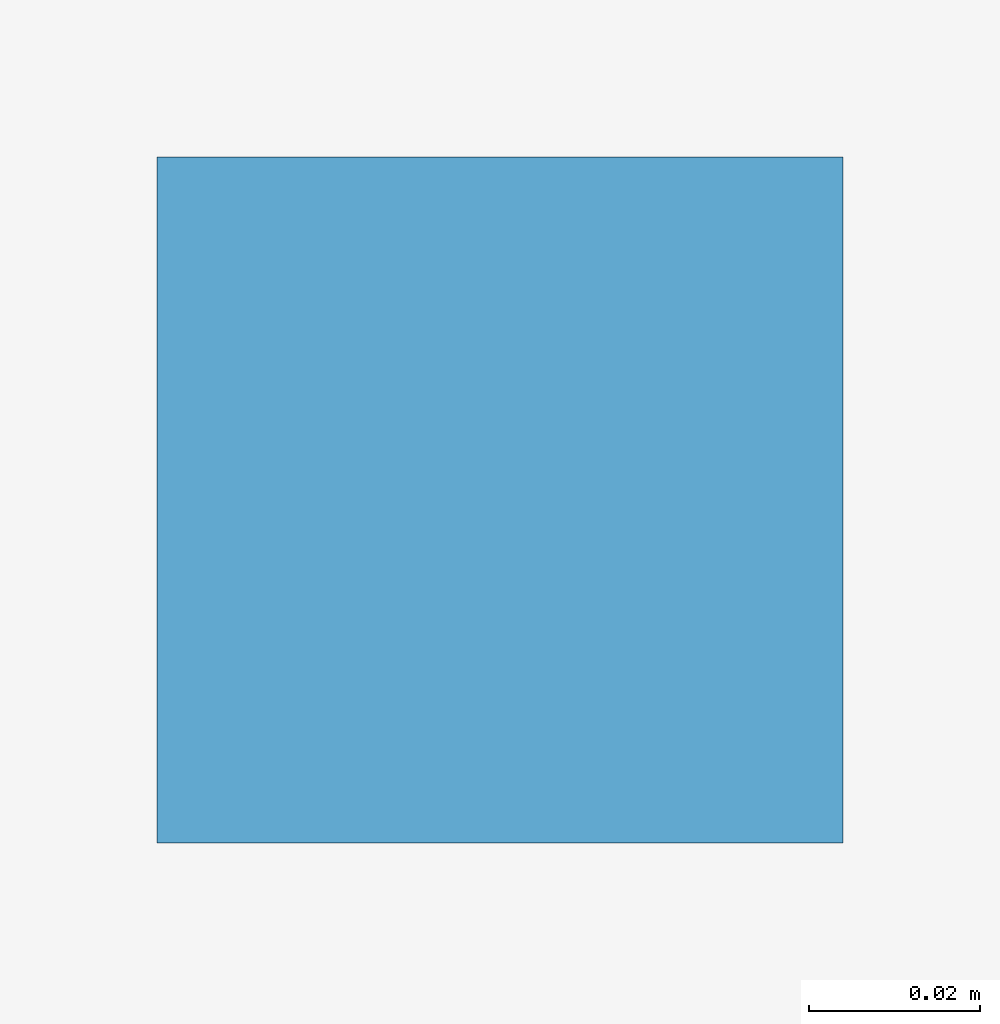
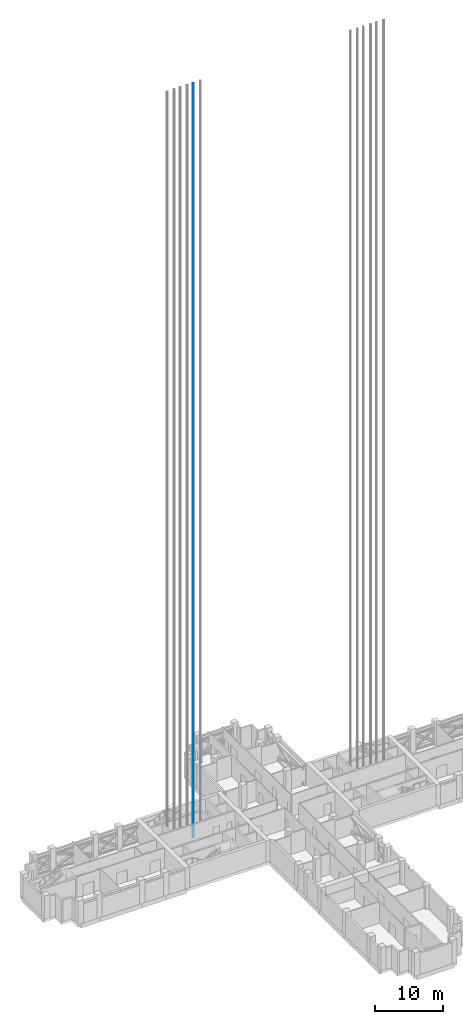
# One storey, part 14 of 22: 1 discrete accessory.
"""IFC4 building model written with IfcOpenShell, lengths in metres."""

from ifc_helpers import new_model, si_unit, direction, frame, origin, origin_2d, place, context, subcontext, project, spatial, rectangle, extrude, material, element, save


model = new_model("IFC4")

# Units and contexts
model_context = context("Model", 3, precision=1e-05, world=origin(), true_north=direction((0.0, 1.0)))
body_context = subcontext(model_context, "Body", "Model", "MODEL_VIEW")
ifc_project = project(units=[si_unit("LENGTHUNIT", "METRE"), si_unit("AREAUNIT", "SQUARE_METRE"), si_unit("VOLUMEUNIT", "CUBIC_METRE"), si_unit("PLANEANGLEUNIT", "RADIAN"), si_unit("MASSUNIT", "GRAM", prefix="KILO")], contexts=[model_context])

# Site, building, storey
site_placement = place(None, origin())
site = spatial("IfcSite", under=ifc_project, at=site_placement, CompositionType="ELEMENT")
building_placement = place(site_placement, origin())
building = spatial("IfcBuilding", under=site, at=building_placement, Name="Fustian Cross Tower", CompositionType="ELEMENT")
storey_placement = place(building_placement, frame((0.0, 0.0, 111.89990234375)))
storey = spatial("IfcBuildingStorey", under=building, at=storey_placement, Name="L35", CompositionType="ELEMENT", Elevation=111.89990234375)

# Discrete accessory
ifc_material = material(Name="Steel S355", Category="steel")
discrete_accessory_placement = place(storey_placement, frame((-13.875, 3.7099609375, 0.0), z_axis=(0.0, 0.0, 1.0), x_axis=(1.0, 0.0, 0.0)))
element("IfcDiscreteAccessory", 1, at=discrete_accessory_placement, inside=storey, material=ifc_material, Name="Lift guide rail HR1W 1", PredefinedType="NOTDEFINED", context=body_context, shape_type="SweptSolid", body=[
    extrude(rectangle(XDim=0.080078125, YDim=0.080078125, at=origin_2d()), origin(), (0.0, 0.0, 1.0), 134.60009765625),
])

save(model, "model.ifc")
